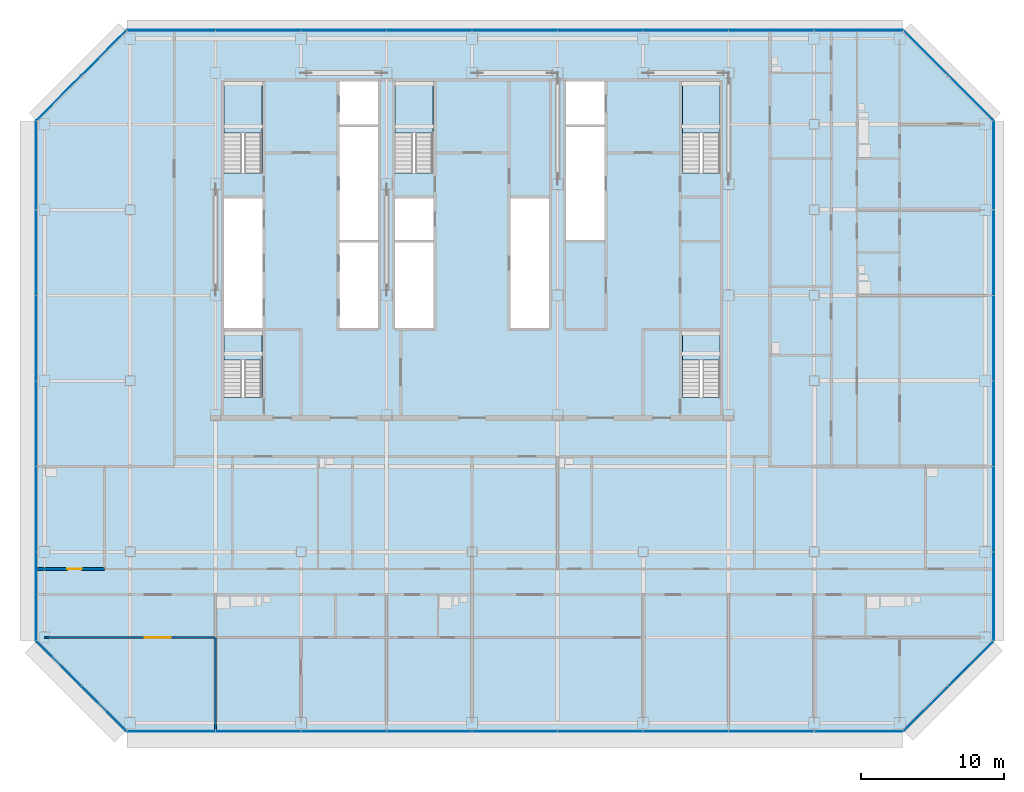
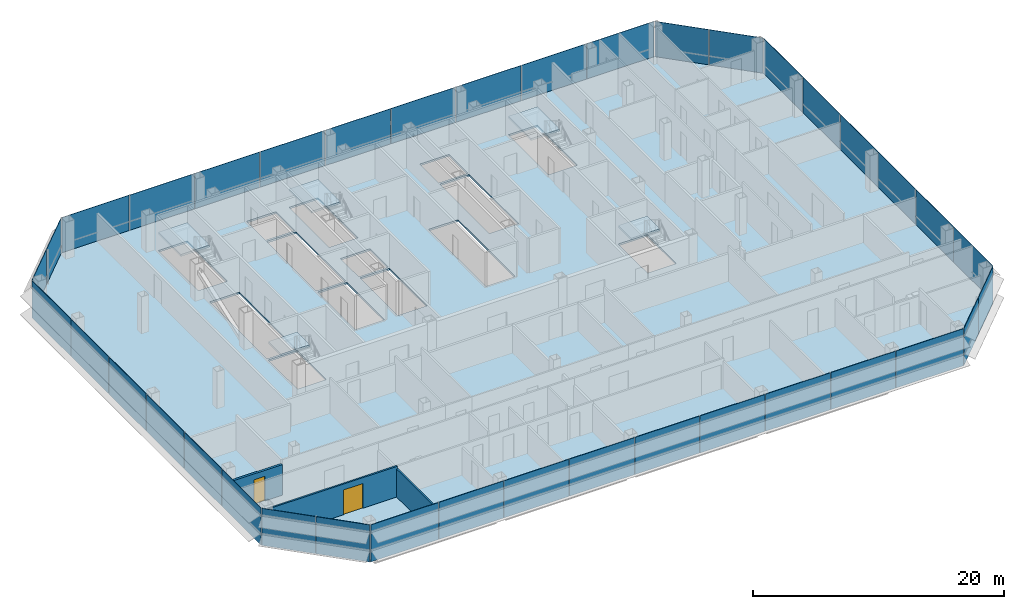
# One storey, part 18 of 25: 38 plates, 6 slabs, 3 walls, 2 doors, 2 openings, 13 elements without a shape of their own.
"""IFC4 building model written with IfcOpenShell, lengths in metres."""

from ifc_helpers import new_model, si_unit, direction, frame, frame_2d, origin, origin_2d, place, context, subcontext, project, spatial, polyline, rectangle, outline, extrude, material, layer, layer_set, type_object, element, fill, aggregate, save


model = new_model("IFC4")

# Units and contexts
model_context = context("Model", 3, precision=1e-05, world=origin(), true_north=direction((0.0, 1.0)))
body_context = subcontext(model_context, "Body", "Model", "MODEL_VIEW")
ifc_project = project(units=[si_unit("LENGTHUNIT", "METRE"), si_unit("AREAUNIT", "SQUARE_METRE"), si_unit("VOLUMEUNIT", "CUBIC_METRE"), si_unit("PLANEANGLEUNIT", "RADIAN"), si_unit("MASSUNIT", "GRAM", prefix="KILO")], contexts=[model_context])

# Site, building, storey
site_placement = place(None, origin())
site = spatial("IfcSite", under=ifc_project, at=site_placement, CompositionType="ELEMENT")
building_placement = place(site_placement, origin())
building = spatial("IfcBuilding", under=site, at=building_placement, Name="Sorahane Residences", CompositionType="ELEMENT")
storey_placement = place(building_placement, frame((0.0, 0.0, 143.800048828125)))
storey = spatial("IfcBuildingStorey", under=building, at=storey_placement, Name="L32", CompositionType="ELEMENT", Elevation=143.800048828125)

# Slab
ifc_material_1 = material(Name="Concrete C35", Category="concrete")
ifc_layer_1 = layer(ifc_material_1, 0.179931640625)
ifc_layer_set_1 = layer_set([ifc_layer_1], Name="Composite floor slab 180 mm Concrete C35")
slab_type_1 = type_object("IfcSlabType", Name="Composite floor slab 180 mm Concrete C35", PredefinedType="FLOOR", material=ifc_layer_set_1)
slab_1_placement = place(storey_placement, frame((0.0, 0.0, -0.179931640625)))
element("IfcSlab", 1, at=slab_1_placement, inside=storey, type_object=slab_type_1, Name="Slab L32", PredefinedType="FLOOR", context=body_context, shape_type="SweptSolid", body=[
    extrude(outline(polyline([(-0.24853515625, -0.60009765625), (-6.60009765625, 5.75146484375), (-6.60009765625, 42.24853515625), (-0.24853515625, 48.60009765625), (54.24853515625, 48.60009765625), (60.60009765625, 42.24853515625), (60.60009765625, 5.75146484375), (54.24853515625, -0.60009765625), (-0.24853515625, -0.60009765625)]), holes=[polyline([(18.60009765625, 27.699951171875), (21.300048828125, 27.699951171875), (21.300048828125, 33.699951171875), (18.60009765625, 33.699951171875), (18.60009765625, 27.699951171875)]), polyline([(30.60009765625, 42.0), (33.300048828125, 42.0), (33.300048828125, 45.0), (30.60009765625, 45.0), (30.60009765625, 42.0)]), polyline([(14.699951171875, 27.699951171875), (17.39990234375, 27.699951171875), (17.39990234375, 33.699951171875), (14.699951171875, 33.699951171875), (14.699951171875, 27.699951171875)]), polyline([(14.699951171875, 42.0), (17.39990234375, 42.0), (17.39990234375, 45.0), (14.699951171875, 45.0), (14.699951171875, 42.0)]), polyline([(6.60009765625, 27.699951171875), (9.300048828125, 27.699951171875), (9.300048828125, 36.800048828125), (6.60009765625, 36.800048828125), (6.60009765625, 27.699951171875)]), polyline([(9.25, 38.60009765625), (9.25, 45.0), (6.60009765625, 45.0), (6.60009765625, 38.60009765625), (9.25, 38.60009765625)]), polyline([(41.39990234375, 38.60009765625), (41.39990234375, 45.0), (38.75, 45.0), (38.75, 38.60009765625), (41.39990234375, 38.60009765625)]), polyline([(21.25, 38.60009765625), (21.25, 45.0), (18.60009765625, 45.0), (18.60009765625, 38.60009765625), (21.25, 38.60009765625)]), polyline([(9.25, 22.85009765625), (9.25, 27.5), (6.60009765625, 27.5), (6.60009765625, 22.85009765625), (9.25, 22.85009765625)]), polyline([(41.39990234375, 22.85009765625), (41.39990234375, 27.5), (38.75, 27.5), (38.75, 22.85009765625), (41.39990234375, 22.85009765625)]), polyline([(14.699951171875, 33.89990234375), (17.39990234375, 33.89990234375), (17.39990234375, 41.800048828125), (14.699951171875, 41.800048828125), (14.699951171875, 33.89990234375)]), polyline([(30.60009765625, 33.89990234375), (33.300048828125, 33.89990234375), (33.300048828125, 41.800048828125), (30.60009765625, 41.800048828125), (30.60009765625, 33.89990234375)]), polyline([(18.60009765625, 33.89990234375), (21.300048828125, 33.89990234375), (21.300048828125, 36.800048828125), (18.60009765625, 36.800048828125), (18.60009765625, 33.89990234375)]), polyline([(26.699951171875, 27.699951171875), (29.39990234375, 27.699951171875), (29.39990234375, 36.800048828125), (26.699951171875, 36.800048828125), (26.699951171875, 27.699951171875)])]), origin(), (0.0, 0.0, 1.0), 0.179931640625),
])

# Curtain wall, plates
ifc_material_2 = material(Name="Dark low-e glass and black anodised aluminium", Category="aluminium")
curtain_wall_type_1 = type_object("IfcCurtainWallType", Name="Curtain wall CW-1 Typical unitised wall", PredefinedType="NOTDEFINED", material=ifc_material_2)
curtain_wall_1_placement = place(storey_placement, origin())
curtain_wall_1 = element("IfcCurtainWall", 2, at=curtain_wall_1_placement, inside=storey, type_object=curtain_wall_type_1, Name="CW-1 curtain wall L32 S1", PredefinedType="NOTDEFINED")
ifc_material_3 = material(Name="Dark low-e glass with black ceramic frit", Category="glass")
ifc_layer_2 = layer(ifc_material_3, 0.0400390625)
ifc_layer_set_2 = layer_set([ifc_layer_2], Name="Curtain wall glass panel dark low-e with black frit spandrel band")
plate_type = type_object("IfcPlateType", Name="Curtain wall glass panel dark low-e with black frit spandrel band", PredefinedType="CURTAIN_PANEL", material=ifc_layer_set_2)
plate_1_placement = place(storey_placement, frame((2.88818359375, -0.60009765625, -0.18017578125), z_axis=(0.0, 0.0, 1.0), x_axis=(1.0, 0.0, 0.0)))
plate_1 = element("IfcPlate", 3, at=plate_1_placement, type_object=plate_type, Name="CW-1 glass panel L32 S1.1", PredefinedType="CURTAIN_PANEL", context=body_context, shape_type="SweptSolid", body=[
    extrude(rectangle(XDim=6.173583984375, YDim=0.0400390625, at=origin_2d()), origin(), (0.0, 0.0, 1.0), 3.60009765625),
])
plate_2_placement = place(storey_placement, frame((9.0, -0.60009765625, -0.18017578125), z_axis=(0.0, 0.0, 1.0), x_axis=(1.0, 0.0, 0.0)))
plate_2 = element("IfcPlate", 4, at=plate_2_placement, type_object=plate_type, Name="CW-1 glass panel L32 S1.2", PredefinedType="CURTAIN_PANEL", context=body_context, shape_type="SweptSolid", body=[
    extrude(rectangle(XDim=5.949951171875, YDim=0.0400390625, at=origin_2d()), origin(), (0.0, 0.0, 1.0), 3.60009765625),
])
plate_3_placement = place(storey_placement, frame((15.0, -0.60009765625, -0.18017578125), z_axis=(0.0, 0.0, 1.0), x_axis=(1.0, 0.0, 0.0)))
plate_3 = element("IfcPlate", 5, at=plate_3_placement, type_object=plate_type, Name="CW-1 glass panel L32 S1.3", PredefinedType="CURTAIN_PANEL", context=body_context, shape_type="SweptSolid", body=[
    extrude(rectangle(XDim=5.949951171875, YDim=0.0400390625, at=origin_2d()), origin(), (0.0, 0.0, 1.0), 3.60009765625),
])
plate_4_placement = place(storey_placement, frame((21.0, -0.60009765625, -0.18017578125), z_axis=(0.0, 0.0, 1.0), x_axis=(1.0, 0.0, 0.0)))
plate_4 = element("IfcPlate", 6, at=plate_4_placement, type_object=plate_type, Name="CW-1 glass panel L32 S1.4", PredefinedType="CURTAIN_PANEL", context=body_context, shape_type="SweptSolid", body=[
    extrude(rectangle(XDim=5.949951171875, YDim=0.0400390625, at=origin_2d()), origin(), (0.0, 0.0, 1.0), 3.60009765625),
])
plate_5_placement = place(storey_placement, frame((27.0, -0.60009765625, -0.18017578125), z_axis=(0.0, 0.0, 1.0), x_axis=(1.0, 0.0, 0.0)))
plate_5 = element("IfcPlate", 7, at=plate_5_placement, type_object=plate_type, Name="CW-1 glass panel L32 S1.5", PredefinedType="CURTAIN_PANEL", context=body_context, shape_type="SweptSolid", body=[
    extrude(rectangle(XDim=5.949951171875, YDim=0.0400390625, at=origin_2d()), origin(), (0.0, 0.0, 1.0), 3.60009765625),
])
plate_6_placement = place(storey_placement, frame((33.0, -0.60009765625, -0.18017578125), z_axis=(0.0, 0.0, 1.0), x_axis=(1.0, 0.0, 0.0)))
plate_6 = element("IfcPlate", 8, at=plate_6_placement, type_object=plate_type, Name="CW-1 glass panel L32 S1.6", PredefinedType="CURTAIN_PANEL", context=body_context, shape_type="SweptSolid", body=[
    extrude(rectangle(XDim=5.949951171875, YDim=0.0400390625, at=origin_2d()), origin(), (0.0, 0.0, 1.0), 3.60009765625),
])
plate_7_placement = place(storey_placement, frame((39.0, -0.60009765625, -0.18017578125), z_axis=(0.0, 0.0, 1.0), x_axis=(1.0, 0.0, 0.0)))
plate_7 = element("IfcPlate", 9, at=plate_7_placement, type_object=plate_type, Name="CW-1 glass panel L32 S1.7", PredefinedType="CURTAIN_PANEL", context=body_context, shape_type="SweptSolid", body=[
    extrude(rectangle(XDim=5.949951171875, YDim=0.0400390625, at=origin_2d()), origin(), (0.0, 0.0, 1.0), 3.60009765625),
])
plate_8_placement = place(storey_placement, frame((45.0, -0.60009765625, -0.18017578125), z_axis=(0.0, 0.0, 1.0), x_axis=(1.0, 0.0, 0.0)))
plate_8 = element("IfcPlate", 10, at=plate_8_placement, type_object=plate_type, Name="CW-1 glass panel L32 S1.8", PredefinedType="CURTAIN_PANEL", context=body_context, shape_type="SweptSolid", body=[
    extrude(rectangle(XDim=5.949951171875, YDim=0.0400390625, at=origin_2d()), origin(), (0.0, 0.0, 1.0), 3.60009765625),
])
plate_9_placement = place(storey_placement, frame((51.11181640625, -0.60009765625, -0.18017578125), z_axis=(0.0, 0.0, 1.0), x_axis=(1.0, 0.0, 0.0)))
plate_9 = element("IfcPlate", 11, at=plate_9_placement, type_object=plate_type, Name="CW-1 glass panel L32 S1.9", PredefinedType="CURTAIN_PANEL", context=body_context, shape_type="SweptSolid", body=[
    extrude(rectangle(XDim=6.173583984375, YDim=0.0400390625, at=origin_2d()), origin(), (0.0, 0.0, 1.0), 3.60009765625),
])
aggregate(curtain_wall_1, [plate_1, plate_2, plate_3, plate_4, plate_5, plate_6, plate_7, plate_8, plate_9])

ifc_material_4 = material(Name="Dark low-e glass and black anodised aluminium", Category="aluminium")
curtain_wall_type_2 = type_object("IfcCurtainWallType", Name="Curtain wall CW-2 Chamfer unitised wall", PredefinedType="NOTDEFINED", material=ifc_material_4)
curtain_wall_2_placement = place(storey_placement, origin())
curtain_wall_2 = element("IfcCurtainWall", 12, at=curtain_wall_2_placement, inside=storey, type_object=curtain_wall_type_2, Name="CW-2 curtain wall L32 SE1", PredefinedType="NOTDEFINED")
plate_10_placement = place(storey_placement, frame((55.84521484375, 0.996826171875, -0.18017578125), z_axis=(0.0, 0.0, 1.0), x_axis=(0.707106781187, 0.707106781187, 0.0)))
plate_10 = element("IfcPlate", 13, at=plate_10_placement, type_object=plate_type, Name="CW-2 glass panel L32 SE1.1", PredefinedType="CURTAIN_PANEL", context=body_context, shape_type="SweptSolid", body=[
    extrude(rectangle(XDim=4.416259765625, YDim=0.0400390625, at=origin_2d()), origin(), (0.0, 0.0, 1.0), 3.60009765625),
])
plate_11_placement = place(storey_placement, frame((59.003173828125, 4.15478515625, -0.18017578125), z_axis=(0.0, 0.0, 1.0), x_axis=(0.707106781187, 0.707106781187, 0.0)))
plate_11 = element("IfcPlate", 14, at=plate_11_placement, type_object=plate_type, Name="CW-2 glass panel L32 SE1.2", PredefinedType="CURTAIN_PANEL", context=body_context, shape_type="SweptSolid", body=[
    extrude(rectangle(XDim=4.416259765625, YDim=0.0400390625, at=origin_2d()), origin(), (0.0, 0.0, 1.0), 3.60009765625),
])
aggregate(curtain_wall_2, [plate_10, plate_11])

curtain_wall_3_placement = place(storey_placement, origin())
curtain_wall_3 = element("IfcCurtainWall", 15, at=curtain_wall_3_placement, inside=storey, type_object=curtain_wall_type_1, Name="CW-1 curtain wall L32 E1", PredefinedType="NOTDEFINED")
plate_12_placement = place(storey_placement, frame((60.60009765625, 8.88818359375, -0.18017578125), z_axis=(0.0, 0.0, 1.0), x_axis=(0.0, 1.0, 0.0)))
plate_12 = element("IfcPlate", 16, at=plate_12_placement, type_object=plate_type, Name="CW-1 glass panel L32 E1.1", PredefinedType="CURTAIN_PANEL", context=body_context, shape_type="SweptSolid", body=[
    extrude(rectangle(XDim=6.173583984375, YDim=0.0400390625, at=origin_2d()), origin(), (0.0, 0.0, 1.0), 3.60009765625),
])
plate_13_placement = place(storey_placement, frame((60.60009765625, 15.0, -0.18017578125), z_axis=(0.0, 0.0, 1.0), x_axis=(0.0, 1.0, 0.0)))
plate_13 = element("IfcPlate", 17, at=plate_13_placement, type_object=plate_type, Name="CW-1 glass panel L32 E1.2", PredefinedType="CURTAIN_PANEL", context=body_context, shape_type="SweptSolid", body=[
    extrude(rectangle(XDim=5.949951171875, YDim=0.0400390625, at=origin_2d()), origin(), (0.0, 0.0, 1.0), 3.60009765625),
])
plate_14_placement = place(storey_placement, frame((60.60009765625, 21.0, -0.18017578125), z_axis=(0.0, 0.0, 1.0), x_axis=(0.0, 1.0, 0.0)))
plate_14 = element("IfcPlate", 18, at=plate_14_placement, type_object=plate_type, Name="CW-1 glass panel L32 E1.3", PredefinedType="CURTAIN_PANEL", context=body_context, shape_type="SweptSolid", body=[
    extrude(rectangle(XDim=5.949951171875, YDim=0.0400390625, at=origin_2d()), origin(), (0.0, 0.0, 1.0), 3.60009765625),
])
plate_15_placement = place(storey_placement, frame((60.60009765625, 27.0, -0.18017578125), z_axis=(0.0, 0.0, 1.0), x_axis=(0.0, 1.0, 0.0)))
plate_15 = element("IfcPlate", 19, at=plate_15_placement, type_object=plate_type, Name="CW-1 glass panel L32 E1.4", PredefinedType="CURTAIN_PANEL", context=body_context, shape_type="SweptSolid", body=[
    extrude(rectangle(XDim=5.949951171875, YDim=0.0400390625, at=origin_2d()), origin(), (0.0, 0.0, 1.0), 3.60009765625),
])
plate_16_placement = place(storey_placement, frame((60.60009765625, 33.0, -0.18017578125), z_axis=(0.0, 0.0, 1.0), x_axis=(0.0, 1.0, 0.0)))
plate_16 = element("IfcPlate", 20, at=plate_16_placement, type_object=plate_type, Name="CW-1 glass panel L32 E1.5", PredefinedType="CURTAIN_PANEL", context=body_context, shape_type="SweptSolid", body=[
    extrude(rectangle(XDim=5.949951171875, YDim=0.0400390625, at=origin_2d()), origin(), (0.0, 0.0, 1.0), 3.60009765625),
])
plate_17_placement = place(storey_placement, frame((60.60009765625, 39.11181640625, -0.18017578125), z_axis=(0.0, 0.0, 1.0), x_axis=(0.0, 1.0, 0.0)))
plate_17 = element("IfcPlate", 21, at=plate_17_placement, type_object=plate_type, Name="CW-1 glass panel L32 E1.6", PredefinedType="CURTAIN_PANEL", context=body_context, shape_type="SweptSolid", body=[
    extrude(rectangle(XDim=6.173583984375, YDim=0.0400390625, at=origin_2d()), origin(), (0.0, 0.0, 1.0), 3.60009765625),
])
aggregate(curtain_wall_3, [plate_12, plate_13, plate_14, plate_15, plate_16, plate_17])

curtain_wall_4_placement = place(storey_placement, origin())
curtain_wall_4 = element("IfcCurtainWall", 22, at=curtain_wall_4_placement, inside=storey, type_object=curtain_wall_type_2, Name="CW-2 curtain wall L32 NE1", PredefinedType="NOTDEFINED")
plate_18_placement = place(storey_placement, frame((59.003173828125, 43.84521484375, -0.18017578125), z_axis=(0.0, 0.0, 1.0), x_axis=(-0.707106781187, 0.707106781187, 0.0)))
plate_18 = element("IfcPlate", 23, at=plate_18_placement, type_object=plate_type, Name="CW-2 glass panel L32 NE1.1", PredefinedType="CURTAIN_PANEL", context=body_context, shape_type="SweptSolid", body=[
    extrude(rectangle(XDim=4.416259765625, YDim=0.0400390625, at=origin_2d()), origin(), (0.0, 0.0, 1.0), 3.60009765625),
])
plate_19_placement = place(storey_placement, frame((55.84521484375, 47.003173828125, -0.18017578125), z_axis=(0.0, 0.0, 1.0), x_axis=(-0.707106781187, 0.707106781187, 0.0)))
plate_19 = element("IfcPlate", 24, at=plate_19_placement, type_object=plate_type, Name="CW-2 glass panel L32 NE1.2", PredefinedType="CURTAIN_PANEL", context=body_context, shape_type="SweptSolid", body=[
    extrude(rectangle(XDim=4.416259765625, YDim=0.0400390625, at=origin_2d()), origin(), (0.0, 0.0, 1.0), 3.60009765625),
])
aggregate(curtain_wall_4, [plate_18, plate_19])

curtain_wall_5_placement = place(storey_placement, origin())
curtain_wall_5 = element("IfcCurtainWall", 25, at=curtain_wall_5_placement, inside=storey, type_object=curtain_wall_type_1, Name="CW-1 curtain wall L32 N1", PredefinedType="NOTDEFINED")
plate_20_placement = place(storey_placement, frame((51.11181640625, 48.60009765625, -0.18017578125), z_axis=(0.0, 0.0, 1.0), x_axis=(-1.0, 0.0, 0.0)))
plate_20 = element("IfcPlate", 26, at=plate_20_placement, type_object=plate_type, Name="CW-1 glass panel L32 N1.1", PredefinedType="CURTAIN_PANEL", context=body_context, shape_type="SweptSolid", body=[
    extrude(rectangle(XDim=6.173583984375, YDim=0.0400390625, at=origin_2d()), origin(), (0.0, 0.0, 1.0), 3.60009765625),
])
plate_21_placement = place(storey_placement, frame((45.0, 48.60009765625, -0.18017578125), z_axis=(0.0, 0.0, 1.0), x_axis=(-1.0, 0.0, 0.0)))
plate_21 = element("IfcPlate", 27, at=plate_21_placement, type_object=plate_type, Name="CW-1 glass panel L32 N1.2", PredefinedType="CURTAIN_PANEL", context=body_context, shape_type="SweptSolid", body=[
    extrude(rectangle(XDim=5.949951171875, YDim=0.0400390625, at=origin_2d()), origin(), (0.0, 0.0, 1.0), 3.60009765625),
])
plate_22_placement = place(storey_placement, frame((39.0, 48.60009765625, -0.18017578125), z_axis=(0.0, 0.0, 1.0), x_axis=(-1.0, 0.0, 0.0)))
plate_22 = element("IfcPlate", 28, at=plate_22_placement, type_object=plate_type, Name="CW-1 glass panel L32 N1.3", PredefinedType="CURTAIN_PANEL", context=body_context, shape_type="SweptSolid", body=[
    extrude(rectangle(XDim=5.949951171875, YDim=0.0400390625, at=origin_2d()), origin(), (0.0, 0.0, 1.0), 3.60009765625),
])
plate_23_placement = place(storey_placement, frame((33.0, 48.60009765625, -0.18017578125), z_axis=(0.0, 0.0, 1.0), x_axis=(-1.0, 0.0, 0.0)))
plate_23 = element("IfcPlate", 29, at=plate_23_placement, type_object=plate_type, Name="CW-1 glass panel L32 N1.4", PredefinedType="CURTAIN_PANEL", context=body_context, shape_type="SweptSolid", body=[
    extrude(rectangle(XDim=5.949951171875, YDim=0.0400390625, at=origin_2d()), origin(), (0.0, 0.0, 1.0), 3.60009765625),
])
plate_24_placement = place(storey_placement, frame((27.0, 48.60009765625, -0.18017578125), z_axis=(0.0, 0.0, 1.0), x_axis=(-1.0, 0.0, 0.0)))
plate_24 = element("IfcPlate", 30, at=plate_24_placement, type_object=plate_type, Name="CW-1 glass panel L32 N1.5", PredefinedType="CURTAIN_PANEL", context=body_context, shape_type="SweptSolid", body=[
    extrude(rectangle(XDim=5.949951171875, YDim=0.0400390625, at=origin_2d()), origin(), (0.0, 0.0, 1.0), 3.60009765625),
])
plate_25_placement = place(storey_placement, frame((21.0, 48.60009765625, -0.18017578125), z_axis=(0.0, 0.0, 1.0), x_axis=(-1.0, 0.0, 0.0)))
plate_25 = element("IfcPlate", 31, at=plate_25_placement, type_object=plate_type, Name="CW-1 glass panel L32 N1.6", PredefinedType="CURTAIN_PANEL", context=body_context, shape_type="SweptSolid", body=[
    extrude(rectangle(XDim=5.949951171875, YDim=0.0400390625, at=origin_2d()), origin(), (0.0, 0.0, 1.0), 3.60009765625),
])
plate_26_placement = place(storey_placement, frame((15.0, 48.60009765625, -0.18017578125), z_axis=(0.0, 0.0, 1.0), x_axis=(-1.0, 0.0, 0.0)))
plate_26 = element("IfcPlate", 32, at=plate_26_placement, type_object=plate_type, Name="CW-1 glass panel L32 N1.7", PredefinedType="CURTAIN_PANEL", context=body_context, shape_type="SweptSolid", body=[
    extrude(rectangle(XDim=5.949951171875, YDim=0.0400390625, at=origin_2d()), origin(), (0.0, 0.0, 1.0), 3.60009765625),
])
plate_27_placement = place(storey_placement, frame((9.0, 48.60009765625, -0.18017578125), z_axis=(0.0, 0.0, 1.0), x_axis=(-1.0, 0.0, 0.0)))
plate_27 = element("IfcPlate", 33, at=plate_27_placement, type_object=plate_type, Name="CW-1 glass panel L32 N1.8", PredefinedType="CURTAIN_PANEL", context=body_context, shape_type="SweptSolid", body=[
    extrude(rectangle(XDim=5.949951171875, YDim=0.0400390625, at=origin_2d()), origin(), (0.0, 0.0, 1.0), 3.60009765625),
])
plate_28_placement = place(storey_placement, frame((2.88818359375, 48.60009765625, -0.18017578125), z_axis=(0.0, 0.0, 1.0), x_axis=(-1.0, 0.0, 0.0)))
plate_28 = element("IfcPlate", 34, at=plate_28_placement, type_object=plate_type, Name="CW-1 glass panel L32 N1.9", PredefinedType="CURTAIN_PANEL", context=body_context, shape_type="SweptSolid", body=[
    extrude(rectangle(XDim=6.173583984375, YDim=0.0400390625, at=origin_2d()), origin(), (0.0, 0.0, 1.0), 3.60009765625),
])
aggregate(curtain_wall_5, [plate_20, plate_21, plate_22, plate_23, plate_24, plate_25, plate_26, plate_27, plate_28])

curtain_wall_6_placement = place(storey_placement, origin())
curtain_wall_6 = element("IfcCurtainWall", 35, at=curtain_wall_6_placement, inside=storey, type_object=curtain_wall_type_2, Name="CW-2 curtain wall L32 NW1", PredefinedType="NOTDEFINED")
plate_29_placement = place(storey_placement, frame((-1.84521484375, 47.003173828125, -0.18017578125), z_axis=(0.0, 0.0, 1.0), x_axis=(-0.707106781187, -0.707106781187, 0.0)))
plate_29 = element("IfcPlate", 36, at=plate_29_placement, type_object=plate_type, Name="CW-2 glass panel L32 NW1.1", PredefinedType="CURTAIN_PANEL", context=body_context, shape_type="SweptSolid", body=[
    extrude(rectangle(XDim=4.416259765625, YDim=0.0400390625, at=origin_2d()), origin(), (0.0, 0.0, 1.0), 3.60009765625),
])
plate_30_placement = place(storey_placement, frame((-5.003173828125, 43.84521484375, -0.18017578125), z_axis=(0.0, 0.0, 1.0), x_axis=(-0.707106781187, -0.707106781187, 0.0)))
plate_30 = element("IfcPlate", 37, at=plate_30_placement, type_object=plate_type, Name="CW-2 glass panel L32 NW1.2", PredefinedType="CURTAIN_PANEL", context=body_context, shape_type="SweptSolid", body=[
    extrude(rectangle(XDim=4.416259765625, YDim=0.0400390625, at=origin_2d()), origin(), (0.0, 0.0, 1.0), 3.60009765625),
])
aggregate(curtain_wall_6, [plate_29, plate_30])

curtain_wall_7_placement = place(storey_placement, origin())
curtain_wall_7 = element("IfcCurtainWall", 38, at=curtain_wall_7_placement, inside=storey, type_object=curtain_wall_type_1, Name="CW-1 curtain wall L32 W1", PredefinedType="NOTDEFINED")
plate_31_placement = place(storey_placement, frame((-6.60009765625, 39.11181640625, -0.18017578125), z_axis=(0.0, 0.0, 1.0), x_axis=(0.0, -1.0, 0.0)))
plate_31 = element("IfcPlate", 39, at=plate_31_placement, type_object=plate_type, Name="CW-1 glass panel L32 W1.1", PredefinedType="CURTAIN_PANEL", context=body_context, shape_type="SweptSolid", body=[
    extrude(rectangle(XDim=6.173583984375, YDim=0.0400390625, at=origin_2d()), origin(), (0.0, 0.0, 1.0), 3.60009765625),
])
plate_32_placement = place(storey_placement, frame((-6.60009765625, 33.0, -0.18017578125), z_axis=(0.0, 0.0, 1.0), x_axis=(0.0, -1.0, 0.0)))
plate_32 = element("IfcPlate", 40, at=plate_32_placement, type_object=plate_type, Name="CW-1 glass panel L32 W1.2", PredefinedType="CURTAIN_PANEL", context=body_context, shape_type="SweptSolid", body=[
    extrude(rectangle(XDim=5.949951171875, YDim=0.0400390625, at=origin_2d()), origin(), (0.0, 0.0, 1.0), 3.60009765625),
])
plate_33_placement = place(storey_placement, frame((-6.60009765625, 27.0, -0.18017578125), z_axis=(0.0, 0.0, 1.0), x_axis=(0.0, -1.0, 0.0)))
plate_33 = element("IfcPlate", 41, at=plate_33_placement, type_object=plate_type, Name="CW-1 glass panel L32 W1.3", PredefinedType="CURTAIN_PANEL", context=body_context, shape_type="SweptSolid", body=[
    extrude(rectangle(XDim=5.949951171875, YDim=0.0400390625, at=origin_2d()), origin(), (0.0, 0.0, 1.0), 3.60009765625),
])
plate_34_placement = place(storey_placement, frame((-6.60009765625, 21.0, -0.18017578125), z_axis=(0.0, 0.0, 1.0), x_axis=(0.0, -1.0, 0.0)))
plate_34 = element("IfcPlate", 42, at=plate_34_placement, type_object=plate_type, Name="CW-1 glass panel L32 W1.4", PredefinedType="CURTAIN_PANEL", context=body_context, shape_type="SweptSolid", body=[
    extrude(rectangle(XDim=5.949951171875, YDim=0.0400390625, at=origin_2d()), origin(), (0.0, 0.0, 1.0), 3.60009765625),
])
plate_35_placement = place(storey_placement, frame((-6.60009765625, 15.0, -0.18017578125), z_axis=(0.0, 0.0, 1.0), x_axis=(0.0, -1.0, 0.0)))
plate_35 = element("IfcPlate", 43, at=plate_35_placement, type_object=plate_type, Name="CW-1 glass panel L32 W1.5", PredefinedType="CURTAIN_PANEL", context=body_context, shape_type="SweptSolid", body=[
    extrude(rectangle(XDim=5.949951171875, YDim=0.0400390625, at=origin_2d()), origin(), (0.0, 0.0, 1.0), 3.60009765625),
])
plate_36_placement = place(storey_placement, frame((-6.60009765625, 8.88818359375, -0.18017578125), z_axis=(0.0, 0.0, 1.0), x_axis=(0.0, -1.0, 0.0)))
plate_36 = element("IfcPlate", 44, at=plate_36_placement, type_object=plate_type, Name="CW-1 glass panel L32 W1.6", PredefinedType="CURTAIN_PANEL", context=body_context, shape_type="SweptSolid", body=[
    extrude(rectangle(XDim=6.173583984375, YDim=0.0400390625, at=origin_2d()), origin(), (0.0, 0.0, 1.0), 3.60009765625),
])
aggregate(curtain_wall_7, [plate_31, plate_32, plate_33, plate_34, plate_35, plate_36])

curtain_wall_8_placement = place(storey_placement, origin())
curtain_wall_8 = element("IfcCurtainWall", 45, at=curtain_wall_8_placement, inside=storey, type_object=curtain_wall_type_2, Name="CW-2 curtain wall L32 SW1", PredefinedType="NOTDEFINED")
plate_37_placement = place(storey_placement, frame((-5.003173828125, 4.15478515625, -0.18017578125), z_axis=(0.0, 0.0, 1.0), x_axis=(0.707106781187, -0.707106781187, 0.0)))
plate_37 = element("IfcPlate", 46, at=plate_37_placement, type_object=plate_type, Name="CW-2 glass panel L32 SW1.1", PredefinedType="CURTAIN_PANEL", context=body_context, shape_type="SweptSolid", body=[
    extrude(rectangle(XDim=4.416259765625, YDim=0.0400390625, at=origin_2d()), origin(), (0.0, 0.0, 1.0), 3.60009765625),
])
plate_38_placement = place(storey_placement, frame((-1.84521484375, 0.996826171875, -0.18017578125), z_axis=(0.0, 0.0, 1.0), x_axis=(0.707106781187, -0.707106781187, 0.0)))
plate_38 = element("IfcPlate", 47, at=plate_38_placement, type_object=plate_type, Name="CW-2 glass panel L32 SW1.2", PredefinedType="CURTAIN_PANEL", context=body_context, shape_type="SweptSolid", body=[
    extrude(rectangle(XDim=4.416259765625, YDim=0.0400390625, at=origin_2d()), origin(), (0.0, 0.0, 1.0), 3.60009765625),
])
aggregate(curtain_wall_8, [plate_37, plate_38])

# Stair, slab
ifc_material_5 = material(Name="Concrete C40", Category="concrete")
stair_type = type_object("IfcStairType", Name="Dog-leg stair 1250 Concrete C40", PredefinedType="HALF_TURN_STAIR", material=ifc_material_5)
stair_1_placement = place(storey_placement, origin())
stair_1 = element("IfcStair", 48, at=stair_1_placement, inside=storey, type_object=stair_type, Name="L32 Stair S1", PredefinedType="HALF_TURN_STAIR")
ifc_material_6 = material(Name="Concrete C40", Category="concrete")
ifc_layer_3 = layer(ifc_material_6, 0.199951171875)
ifc_layer_set_3 = layer_set([ifc_layer_3], Name="Stair landing 200 Concrete C40")
slab_type_2 = type_object("IfcSlabType", Name="Stair landing 200 Concrete C40", PredefinedType="LANDING", material=ifc_layer_set_3)
slab_2_placement = place(storey_placement, frame((0.0, 0.0, 1.599853515625)))
slab_2 = element("IfcSlab", 49, at=slab_2_placement, type_object=slab_type_2, Name="S1 landing 1", PredefinedType="LANDING", context=body_context, shape_type="SweptSolid", body=[
    extrude(outline(polyline([(9.25, 41.39990234375), (9.25, 45.0), (6.60009765625, 45.0), (6.60009765625, 41.39990234375), (9.25, 41.39990234375)])), origin(), (0.0, 0.0, 1.0), 0.2001953125),
])
aggregate(stair_1, [slab_2])

stair_2_placement = place(storey_placement, origin())
stair_2 = element("IfcStair", 50, at=stair_2_placement, inside=storey, type_object=stair_type, Name="L32 Stair S2", PredefinedType="HALF_TURN_STAIR")
slab_3_placement = place(storey_placement, frame((0.0, 0.0, 1.599853515625)))
slab_3 = element("IfcSlab", 51, at=slab_3_placement, type_object=slab_type_2, Name="S2 landing 1", PredefinedType="LANDING", context=body_context, shape_type="SweptSolid", body=[
    extrude(outline(polyline([(41.39990234375, 41.39990234375), (41.39990234375, 45.0), (38.75, 45.0), (38.75, 41.39990234375), (41.39990234375, 41.39990234375)])), origin(), (0.0, 0.0, 1.0), 0.2001953125),
])
aggregate(stair_2, [slab_3])

stair_3_placement = place(storey_placement, origin())
stair_3 = element("IfcStair", 52, at=stair_3_placement, inside=storey, type_object=stair_type, Name="L32 Stair S3", PredefinedType="HALF_TURN_STAIR")
slab_4_placement = place(storey_placement, frame((0.0, 0.0, 1.599853515625)))
slab_4 = element("IfcSlab", 53, at=slab_4_placement, type_object=slab_type_2, Name="S3 landing 1", PredefinedType="LANDING", context=body_context, shape_type="SweptSolid", body=[
    extrude(outline(polyline([(21.25, 41.39990234375), (21.25, 45.0), (18.60009765625, 45.0), (18.60009765625, 41.39990234375), (21.25, 41.39990234375)])), origin(), (0.0, 0.0, 1.0), 0.2001953125),
])
aggregate(stair_3, [slab_4])

stair_4_placement = place(storey_placement, origin())
stair_4 = element("IfcStair", 54, at=stair_4_placement, inside=storey, type_object=stair_type, Name="L32 Stair S4", PredefinedType="HALF_TURN_STAIR")
slab_5_placement = place(storey_placement, frame((0.0, 0.0, 1.599853515625)))
slab_5 = element("IfcSlab", 55, at=slab_5_placement, type_object=slab_type_2, Name="S4 landing 1", PredefinedType="LANDING", context=body_context, shape_type="SweptSolid", body=[
    extrude(outline(polyline([(9.25, 25.449951171875), (9.25, 27.5), (6.60009765625, 27.5), (6.60009765625, 25.449951171875), (9.25, 25.449951171875)])), origin(), (0.0, 0.0, 1.0), 0.2001953125),
])
aggregate(stair_4, [slab_5])

stair_5_placement = place(storey_placement, origin())
stair_5 = element("IfcStair", 56, at=stair_5_placement, inside=storey, type_object=stair_type, Name="L32 Stair S5", PredefinedType="HALF_TURN_STAIR")
slab_6_placement = place(storey_placement, frame((0.0, 0.0, 1.599853515625)))
slab_6 = element("IfcSlab", 57, at=slab_6_placement, type_object=slab_type_2, Name="S5 landing 1", PredefinedType="LANDING", context=body_context, shape_type="SweptSolid", body=[
    extrude(outline(polyline([(41.39990234375, 25.449951171875), (41.39990234375, 27.5), (38.75, 27.5), (38.75, 25.449951171875), (41.39990234375, 25.449951171875)])), origin(), (0.0, 0.0, 1.0), 0.2001953125),
])
aggregate(stair_5, [slab_6])

# Wall, opening, door
ifc_material_7 = material(Name="Concrete blockwork C20 wall", Category="masonry")
ifc_layer_4 = layer(ifc_material_7, 0.199951171875)
ifc_layer_set_4 = layer_set([ifc_layer_4], Name="Kitchen wall 200 EI 180")
wall_type_1 = type_object("IfcWallType", Name="Kitchen wall 200 EI 180", PredefinedType="SOLIDWALL", material=ifc_layer_set_4)
wall_1_placement = place(storey_placement, frame((-6.60009765625, 10.800048828125, 0.0), z_axis=(0.0, 0.0, 1.0), x_axis=(1.0, 0.0, 0.0)))
wall_1 = element("IfcWall", 58, at=wall_1_placement, inside=storey, type_object=wall_type_1, Name="L32 kitchen wall", PredefinedType="SOLIDWALL", context=body_context, shape_type="SweptSolid", body=[
    extrude(rectangle(XDim=4.800048828125, YDim=0.199951171875, at=frame_2d((2.39990234375, 0.0))), origin(), (0.0, 0.0, 1.0), 2.969970703125),
])
opening_1_placement = place(wall_1_placement, frame((2.199951171875, 0.0, 0.0)))
opening_1 = element("IfcOpeningElement", 59, at=opening_1_placement, cuts=wall_1, Name="Opening L32-02", PredefinedType="OPENING", context=body_context, shape_type="SweptSolid", body=[
    extrude(rectangle(XDim=1.0, YDim=2.39990234375, at=frame_2d((0.5, 1.199951171875))), frame((0.0, 0.10986328125, 0.0), z_axis=(0.0, -1.0, 0.0), x_axis=(1.0, 0.0, 0.0)), (0.0, 0.0, 1.0), 0.219970703125),
])
ifc_material_8 = material(Name="Steel", Category="steel")
door_type_1 = type_object("IfcDoorType", Name="Kitchen door 1000x2400 FD120", OperationType="NOTDEFINED", PredefinedType="DOOR", material=ifc_material_8)
door_1_placement = place(opening_1_placement, origin())
door_1 = element("IfcDoor", 60, at=door_1_placement, inside=storey, type_object=door_type_1, Name="Kitchen door L32-02", OperationType="SINGLE_SWING_RIGHT", OverallHeight=2.39990234375, OverallWidth=1.0, PredefinedType="DOOR", context=body_context, shape_type="SweptSolid", body=[
    extrude(rectangle(XDim=1.0, YDim=2.39990234375, at=frame_2d((0.5, 1.199951171875))), frame((0.0, 0.02490234375, 0.0), z_axis=(0.0, -1.0, 0.0), x_axis=(1.0, 0.0, 0.0)), (0.0, 0.0, 1.0), 0.050048828125),
])
fill(opening_1, door_1)

# Wall
ifc_material_9 = material(Name="Gypsum board partition on steel studs", Category="steel")
ifc_layer_5 = layer(ifc_material_9, 0.14990234375)
ifc_layer_set_5 = layer_set([ifc_layer_5], Name="Partition 150 EI 90")
wall_type_2 = type_object("IfcWallType", Name="Partition 150 EI 90", PredefinedType="PARTITIONING", material=ifc_layer_set_5)
wall_2_placement = place(storey_placement, frame((6.0, -0.60009765625, 0.0), z_axis=(0.0, 0.0, 1.0), x_axis=(0.0, 1.0, 0.0)))
element("IfcWall", 61, at=wall_2_placement, inside=storey, type_object=wall_type_2, Name="L32 partition", PredefinedType="PARTITIONING", context=body_context, shape_type="SweptSolid", body=[
    extrude(rectangle(XDim=6.60009765625, YDim=0.14990234375, at=frame_2d((3.300048828125, 0.0))), origin(), (0.0, 0.0, 1.0), 2.719970703125),
])

# Wall, opening, door
wall_3_placement = place(storey_placement, frame((-6.0, 6.0, 0.0), z_axis=(0.0, 0.0, 1.0), x_axis=(1.0, 0.0, 0.0)))
wall_3 = element("IfcWall", 62, at=wall_3_placement, inside=storey, type_object=wall_type_2, Name="L32 partition", PredefinedType="PARTITIONING", context=body_context, shape_type="SweptSolid", body=[
    extrude(rectangle(XDim=12.0, YDim=0.14990234375, at=frame_2d((6.0, 0.0))), origin(), (0.0, 0.0, 1.0), 2.969970703125),
])
opening_2_placement = place(wall_3_placement, frame((7.0400390625, 0.0, 0.0)))
opening_2 = element("IfcOpeningElement", 63, at=opening_2_placement, cuts=wall_3, Name="Opening L32-09", PredefinedType="OPENING", context=body_context, shape_type="SweptSolid", body=[
    extrude(rectangle(XDim=1.800048828125, YDim=2.39990234375, at=frame_2d((0.89990234375, 1.199951171875))), frame((0.0, 0.0849609375, 0.0), z_axis=(0.0, -1.0, 0.0), x_axis=(1.0, 0.0, 0.0)), (0.0, 0.0, 1.0), 0.169921875),
])
ifc_material_10 = material(Name="Timber veneered fire door", Category="wood")
door_type_2 = type_object("IfcDoorType", Name="Double door 1800x2400 FD30", OperationType="NOTDEFINED", PredefinedType="DOOR", material=ifc_material_10)
door_2_placement = place(opening_2_placement, frame((1.800048828125, 0.0, 0.0), z_axis=(0.0, 0.0, 1.0), x_axis=(-1.0, 0.0, 0.0)))
door_2 = element("IfcDoor", 64, at=door_2_placement, inside=storey, type_object=door_type_2, Name="Double door L32-09", OperationType="SINGLE_SWING_LEFT", OverallHeight=2.39990234375, OverallWidth=1.800048828125, PredefinedType="DOOR", context=body_context, shape_type="SweptSolid", body=[
    extrude(rectangle(XDim=1.800048828125, YDim=2.39990234375, at=frame_2d((0.89990234375, 1.199951171875))), frame((0.0, 0.02490234375, 0.0), z_axis=(0.0, -1.0, 0.0), x_axis=(1.0, 0.0, 0.0)), (0.0, 0.0, 1.0), 0.050048828125),
])
fill(opening_2, door_2)

save(model, "model.ifc")
